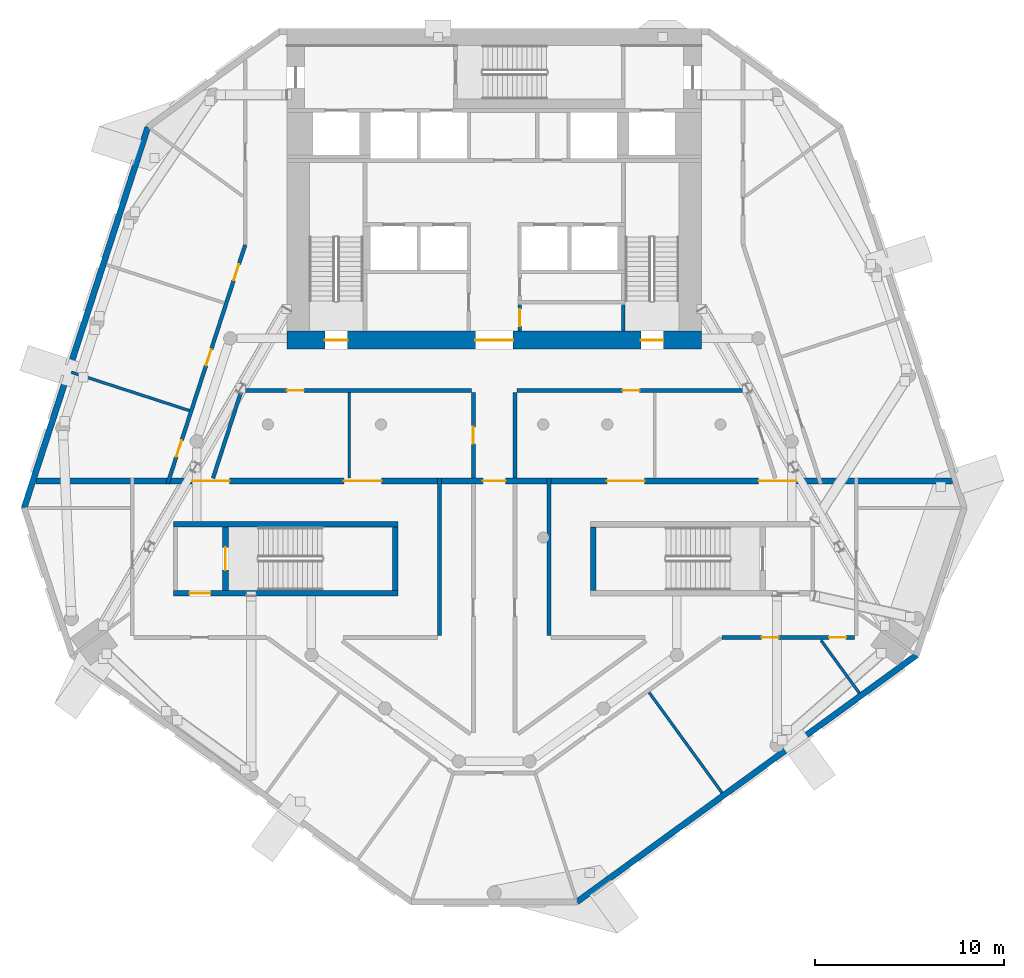
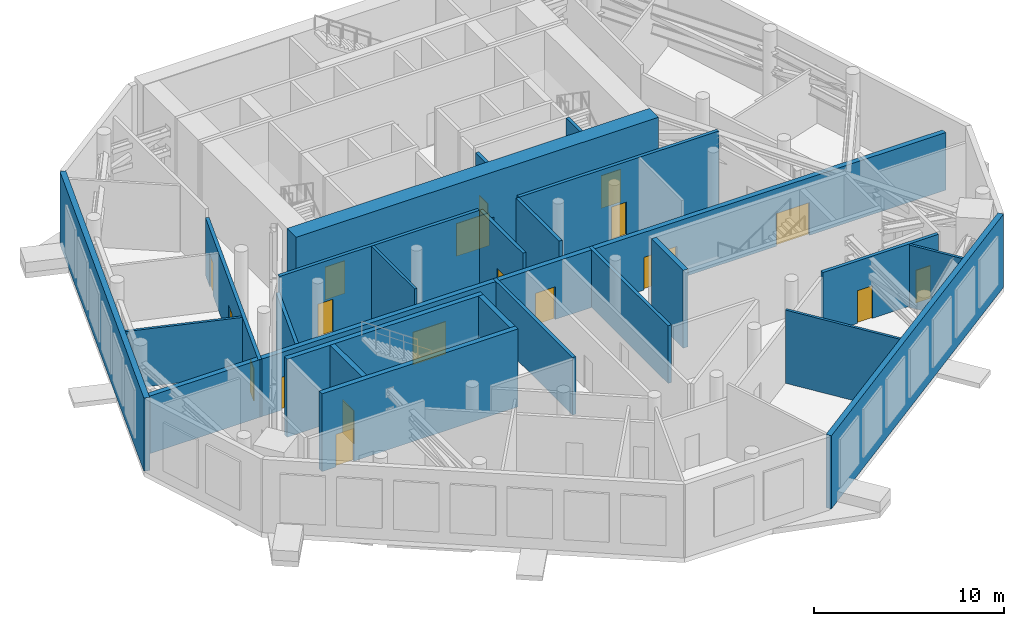
# One storey, part 9 of 17: 24 walls, 19 doors, 19 openings.
"""IFC4 building model written with IfcOpenShell, lengths in metres."""

from ifc_helpers import new_model, si_unit, direction, frame, frame_2d, origin, place, context, subcontext, project, spatial, rectangle, extrude, material, layer, layer_set, type_object, element, fill, save


model = new_model("IFC4")

# Units and contexts
model_context = context("Model", 3, precision=1e-05, world=origin(), true_north=direction((0.0, 1.0)))
body_context = subcontext(model_context, "Body", "Model", "MODEL_VIEW")
ifc_project = project(units=[si_unit("LENGTHUNIT", "METRE"), si_unit("AREAUNIT", "SQUARE_METRE"), si_unit("VOLUMEUNIT", "CUBIC_METRE"), si_unit("PLANEANGLEUNIT", "RADIAN"), si_unit("MASSUNIT", "GRAM", prefix="KILO")], contexts=[model_context])

# Site, building, storey
site_placement = place(None, origin())
site = spatial("IfcSite", under=ifc_project, at=site_placement, CompositionType="ELEMENT")
building_placement = place(site_placement, origin())
building = spatial("IfcBuilding", under=site, at=building_placement, Name="White Candle Pilgrim Tower", CompositionType="ELEMENT")
storey_placement = place(building_placement, frame((0.0, 0.0, 191.5)))
storey = spatial("IfcBuildingStorey", under=building, at=storey_placement, Name="L44", CompositionType="ELEMENT", Elevation=191.5)

# Wall, openings, doors
ifc_material_1 = material(Name="Gypsum board on steel studs", Category="steel")
ifc_layer_1 = layer(ifc_material_1, 0.199951171875)
ifc_layer_set_1 = layer_set([ifc_layer_1], Name="Corridor wall 200 mm EI 45")
wall_type_1 = type_object("IfcWallType", Name="Corridor wall 200 mm EI 45", PredefinedType="PARTITIONING", material=ifc_layer_set_1)
wall_1_placement = place(storey_placement, frame((52.677734375, 63.85009765625, 0.0), z_axis=(0.0, 0.0, 1.0), x_axis=(0.309023094896, 0.951054534094, 0.0)))
wall_1 = element("IfcWall", 1, at=wall_1_placement, inside=storey, type_object=wall_type_1, Name="WL-L44-P002", PredefinedType="PARTITIONING", context=body_context, shape_type="SweptSolid", body=[
    extrude(rectangle(XDim=13.323974609375, YDim=0.199951171875, at=frame_2d((6.662109375, 0.0))), origin(), (0.0, 0.0, 1.0), 3.699951171875),
])
opening_1_placement = place(wall_1_placement, frame((1.51611328125, 0.0, 0.0)))
opening_1 = element("IfcOpeningElement", 2, at=opening_1_placement, cuts=wall_1, Name="Opening L44-117", PredefinedType="OPENING", context=body_context, shape_type="SweptSolid", body=[
    extrude(rectangle(XDim=0.89990234375, YDim=2.10009765625, at=frame_2d((0.449951171875, 1.050048828125))), frame((0.0, 0.10986328125, 0.0), z_axis=(0.0, -1.0, 0.0), x_axis=(1.0, 0.0, 0.0)), (0.0, 0.0, 1.0), 0.219970703125),
])
opening_2_placement = place(wall_1_placement, frame((6.602294921875, 0.0, 0.0)))
opening_2 = element("IfcOpeningElement", 3, at=opening_2_placement, cuts=wall_1, Name="Opening L44-118", PredefinedType="OPENING", context=body_context, shape_type="SweptSolid", body=[
    extrude(rectangle(XDim=0.89990234375, YDim=2.10009765625, at=frame_2d((0.449951171875, 1.050048828125))), frame((0.0, 0.10986328125, 0.0), z_axis=(0.0, -1.0, 0.0), x_axis=(1.0, 0.0, 0.0)), (0.0, 0.0, 1.0), 0.219970703125),
])
opening_3_placement = place(wall_1_placement, frame((11.351318359375, 0.0, 0.0)))
opening_3 = element("IfcOpeningElement", 4, at=opening_3_placement, cuts=wall_1, Name="Opening L44-119", PredefinedType="OPENING", context=body_context, shape_type="SweptSolid", body=[
    extrude(rectangle(XDim=0.89990234375, YDim=2.10009765625, at=frame_2d((0.449951171875, 1.050048828125))), frame((0.0, 0.10986328125, 0.0), z_axis=(0.0, -1.0, 0.0), x_axis=(1.0, 0.0, 0.0)), (0.0, 0.0, 1.0), 0.219970703125),
])
ifc_material_2 = material(Name="Steel door leaf", Category="steel")
door_type_1 = type_object("IfcDoorType", Name="Fire door 900 x 2100 EI 30", OperationType="NOTDEFINED", PredefinedType="DOOR", material=ifc_material_2)
door_1_placement = place(opening_1_placement, origin())
door_1 = element("IfcDoor", 5, at=door_1_placement, inside=storey, type_object=door_type_1, Name="Door L44-117", OperationType="SINGLE_SWING_LEFT", OverallHeight=2.10009765625, OverallWidth=0.89990234375, PredefinedType="DOOR", context=body_context, shape_type="SweptSolid", body=[
    extrude(rectangle(XDim=0.89990234375, YDim=2.10009765625, at=frame_2d((0.449951171875, 1.050048828125))), frame((0.0, 0.02490234375, 0.0), z_axis=(0.0, -1.0, 0.0), x_axis=(1.0, 0.0, 0.0)), (0.0, 0.0, 1.0), 0.050048828125),
])
fill(opening_1, door_1)
door_2_placement = place(opening_2_placement, origin())
door_2 = element("IfcDoor", 6, at=door_2_placement, inside=storey, type_object=door_type_1, Name="Door L44-118", OperationType="SINGLE_SWING_RIGHT", OverallHeight=2.10009765625, OverallWidth=0.89990234375, PredefinedType="DOOR", context=body_context, shape_type="SweptSolid", body=[
    extrude(rectangle(XDim=0.89990234375, YDim=2.10009765625, at=frame_2d((0.449951171875, 1.050048828125))), frame((0.0, 0.02490234375, 0.0), z_axis=(0.0, -1.0, 0.0), x_axis=(1.0, 0.0, 0.0)), (0.0, 0.0, 1.0), 0.050048828125),
])
fill(opening_2, door_2)
door_3_placement = place(opening_3_placement, origin())
door_3 = element("IfcDoor", 7, at=door_3_placement, inside=storey, type_object=door_type_1, Name="Door L44-119", OperationType="SINGLE_SWING_LEFT", OverallHeight=2.10009765625, OverallWidth=0.89990234375, PredefinedType="DOOR", context=body_context, shape_type="SweptSolid", body=[
    extrude(rectangle(XDim=0.89990234375, YDim=2.10009765625, at=frame_2d((0.449951171875, 1.050048828125))), frame((0.0, 0.02490234375, 0.0), z_axis=(0.0, -1.0, 0.0), x_axis=(1.0, 0.0, 0.0)), (0.0, 0.0, 1.0), 0.050048828125),
])
fill(opening_3, door_3)

wall_2_placement = place(storey_placement, frame((89.10009765625, 55.699951171875, 0.0), z_axis=(0.0, 0.0, 1.0), x_axis=(-1.0, 0.0, 0.0)))
wall_2 = element("IfcWall", 8, at=wall_2_placement, inside=storey, type_object=wall_type_1, Name="WL-L44-P007", PredefinedType="PARTITIONING", context=body_context, shape_type="SweptSolid", body=[
    extrude(rectangle(XDim=7.017822265625, YDim=0.199951171875, at=frame_2d((3.5087890625, 0.0))), origin(), (0.0, 0.0, 1.0), 4.0),
])
opening_4_placement = place(wall_2_placement, frame((4.0126953125, 0.0, 0.0)))
opening_4 = element("IfcOpeningElement", 9, at=opening_4_placement, cuts=wall_2, Name="Opening L44-107", PredefinedType="OPENING", context=body_context, shape_type="SweptSolid", body=[
    extrude(rectangle(XDim=0.89990234375, YDim=2.10009765625, at=frame_2d((0.449951171875, 1.050048828125))), frame((0.0, 0.10986328125, 0.0), z_axis=(0.0, -1.0, 0.0), x_axis=(1.0, 0.0, 0.0)), (0.0, 0.0, 1.0), 0.219970703125),
])
opening_5_placement = place(wall_2_placement, frame((0.4375, 0.0, 0.0)))
opening_5 = element("IfcOpeningElement", 10, at=opening_5_placement, cuts=wall_2, Name="Opening L44-108", PredefinedType="OPENING", context=body_context, shape_type="SweptSolid", body=[
    extrude(rectangle(XDim=0.89990234375, YDim=2.10009765625, at=frame_2d((0.449951171875, 1.050048828125))), frame((0.0, 0.10986328125, 0.0), z_axis=(0.0, -1.0, 0.0), x_axis=(1.0, 0.0, 0.0)), (0.0, 0.0, 1.0), 0.219970703125),
])
door_4_placement = place(opening_4_placement, origin())
door_4 = element("IfcDoor", 11, at=door_4_placement, inside=storey, type_object=door_type_1, Name="Door L44-107", OperationType="SINGLE_SWING_LEFT", OverallHeight=2.10009765625, OverallWidth=0.89990234375, PredefinedType="DOOR", context=body_context, shape_type="SweptSolid", body=[
    extrude(rectangle(XDim=0.89990234375, YDim=2.10009765625, at=frame_2d((0.449951171875, 1.050048828125))), frame((0.0, 0.02490234375, 0.0), z_axis=(0.0, -1.0, 0.0), x_axis=(1.0, 0.0, 0.0)), (0.0, 0.0, 1.0), 0.050048828125),
])
fill(opening_4, door_4)
door_5_placement = place(opening_5_placement, origin())
door_5 = element("IfcDoor", 12, at=door_5_placement, inside=storey, type_object=door_type_1, Name="Door L44-108", OperationType="SINGLE_SWING_RIGHT", OverallHeight=2.10009765625, OverallWidth=0.89990234375, PredefinedType="DOOR", context=body_context, shape_type="SweptSolid", body=[
    extrude(rectangle(XDim=0.89990234375, YDim=2.10009765625, at=frame_2d((0.449951171875, 1.050048828125))), frame((0.0, 0.02490234375, 0.0), z_axis=(0.0, -1.0, 0.0), x_axis=(1.0, 0.0, 0.0)), (0.0, 0.0, 1.0), 0.050048828125),
])
fill(opening_5, door_5)

# Wall, opening, door
wall_3_placement = place(storey_placement, frame((83.328125, 68.800048828125, 0.0), z_axis=(0.0, 0.0, 1.0), x_axis=(-1.0, 0.0, 0.0)))
wall_3 = element("IfcWall", 13, at=wall_3_placement, inside=storey, type_object=wall_type_1, Name="WL-L44-P014", PredefinedType="PARTITIONING", context=body_context, shape_type="SweptSolid", body=[
    extrude(rectangle(XDim=12.128173828125, YDim=0.199951171875, at=frame_2d((6.06396484375, 0.0))), origin(), (0.0, 0.0, 1.0), 4.699951171875),
])
opening_6_placement = place(wall_3_placement, frame((5.614013671875, 0.0, 0.0)))
opening_6 = element("IfcOpeningElement", 14, at=opening_6_placement, cuts=wall_3, Name="Opening L44-127", PredefinedType="OPENING", context=body_context, shape_type="SweptSolid", body=[
    extrude(rectangle(XDim=0.89990234375, YDim=2.10009765625, at=frame_2d((0.449951171875, 1.050048828125))), frame((0.0, 0.10986328125, 0.0), z_axis=(0.0, -1.0, 0.0), x_axis=(1.0, 0.0, 0.0)), (0.0, 0.0, 1.0), 0.219970703125),
])
door_6_placement = place(opening_6_placement, origin())
door_6 = element("IfcDoor", 15, at=door_6_placement, inside=storey, type_object=door_type_1, Name="Door L44-127", OperationType="SINGLE_SWING_LEFT", OverallHeight=2.10009765625, OverallWidth=0.89990234375, PredefinedType="DOOR", context=body_context, shape_type="SweptSolid", body=[
    extrude(rectangle(XDim=0.89990234375, YDim=2.10009765625, at=frame_2d((0.449951171875, 1.050048828125))), frame((0.0, 0.02490234375, 0.0), z_axis=(0.0, -1.0, 0.0), x_axis=(1.0, 0.0, 0.0)), (0.0, 0.0, 1.0), 0.050048828125),
])
fill(opening_6, door_6)

# Walls
wall_4_placement = place(storey_placement, frame((71.10009765625, 68.699951171875, 0.0), z_axis=(0.0, 0.0, 1.0), x_axis=(0.0, -1.0, 0.0)))
element("IfcWall", 16, at=wall_4_placement, inside=storey, type_object=wall_type_1, Name="WL-L44-P015", PredefinedType="PARTITIONING", context=body_context, shape_type="SweptSolid", body=[
    extrude(rectangle(XDim=4.550048828125, YDim=0.199951171875, at=frame_2d((2.27490234375, 0.0))), origin(), (0.0, 0.0, 1.0), 4.699951171875),
])
wall_5_placement = place(storey_placement, frame((72.89990234375, 55.800048828125, 0.0), z_axis=(0.0, 0.0, 1.0), x_axis=(0.0, 1.0, 0.0)))
element("IfcWall", 17, at=wall_5_placement, inside=storey, type_object=wall_type_1, Name="WL-L44-P019", PredefinedType="PARTITIONING", context=body_context, shape_type="SweptSolid", body=[
    extrude(rectangle(XDim=8.349853515625, YDim=0.199951171875, at=frame_2d((4.1748046875, 0.0))), origin(), (0.0, 0.0, 1.0), 3.699951171875),
])

# Wall, opening, door
wall_6_placement = place(storey_placement, frame((68.89990234375, 64.14990234375, 0.0), z_axis=(0.0, 0.0, 1.0), x_axis=(0.0, 1.0, 0.0)))
wall_6 = element("IfcWall", 18, at=wall_6_placement, inside=storey, type_object=wall_type_1, Name="WL-L44-P021", PredefinedType="PARTITIONING", context=body_context, shape_type="SweptSolid", body=[
    extrude(rectangle(XDim=4.550048828125, YDim=0.199951171875, at=frame_2d((2.27490234375, 0.0))), origin(), (0.0, 0.0, 1.0), 4.699951171875),
])
opening_7_placement = place(wall_6_placement, frame((1.824951171875, 0.0, 0.0)))
opening_7 = element("IfcOpeningElement", 19, at=opening_7_placement, cuts=wall_6, Name="Opening L44-125", PredefinedType="OPENING", context=body_context, shape_type="SweptSolid", body=[
    extrude(rectangle(XDim=0.89990234375, YDim=2.10009765625, at=frame_2d((0.449951171875, 1.050048828125))), frame((0.0, 0.10986328125, 0.0), z_axis=(0.0, -1.0, 0.0), x_axis=(1.0, 0.0, 0.0)), (0.0, 0.0, 1.0), 0.219970703125),
])
door_7_placement = place(opening_7_placement, origin())
door_7 = element("IfcDoor", 20, at=door_7_placement, inside=storey, type_object=door_type_1, Name="Door L44-125", OperationType="SINGLE_SWING_LEFT", OverallHeight=2.10009765625, OverallWidth=0.89990234375, PredefinedType="DOOR", context=body_context, shape_type="SweptSolid", body=[
    extrude(rectangle(XDim=0.89990234375, YDim=2.10009765625, at=frame_2d((0.449951171875, 1.050048828125))), frame((0.0, 0.02490234375, 0.0), z_axis=(0.0, -1.0, 0.0), x_axis=(1.0, 0.0, 0.0)), (0.0, 0.0, 1.0), 0.050048828125),
])
fill(opening_7, door_7)

wall_7_placement = place(storey_placement, frame((68.800048828125, 68.800048828125, 0.0), z_axis=(0.0, 0.0, 1.0), x_axis=(-1.0, 0.0, 0.0)))
wall_7 = element("IfcWall", 21, at=wall_7_placement, inside=storey, type_object=wall_type_1, Name="WL-L44-P022", PredefinedType="PARTITIONING", context=body_context, shape_type="SweptSolid", body=[
    extrude(rectangle(XDim=12.128173828125, YDim=0.199951171875, at=frame_2d((6.06396484375, 0.0))), origin(), (0.0, 0.0, 1.0), 4.699951171875),
])
opening_8_placement = place(wall_7_placement, frame((8.893798828125, 0.0, 0.0)))
opening_8 = element("IfcOpeningElement", 22, at=opening_8_placement, cuts=wall_7, Name="Opening L44-126", PredefinedType="OPENING", context=body_context, shape_type="SweptSolid", body=[
    extrude(rectangle(XDim=0.89990234375, YDim=2.10009765625, at=frame_2d((0.449951171875, 1.050048828125))), frame((0.0, 0.10986328125, 0.0), z_axis=(0.0, -1.0, 0.0), x_axis=(1.0, 0.0, 0.0)), (0.0, 0.0, 1.0), 0.219970703125),
])
door_8_placement = place(opening_8_placement, origin())
door_8 = element("IfcDoor", 23, at=door_8_placement, inside=storey, type_object=door_type_1, Name="Door L44-126", OperationType="SINGLE_SWING_RIGHT", OverallHeight=2.10009765625, OverallWidth=0.89990234375, PredefinedType="DOOR", context=body_context, shape_type="SweptSolid", body=[
    extrude(rectangle(XDim=0.89990234375, YDim=2.10009765625, at=frame_2d((0.449951171875, 1.050048828125))), frame((0.0, 0.02490234375, 0.0), z_axis=(0.0, -1.0, 0.0), x_axis=(1.0, 0.0, 0.0)), (0.0, 0.0, 1.0), 0.050048828125),
])
fill(opening_8, door_8)

# Walls
wall_8_placement = place(storey_placement, frame((56.576904296875, 68.73095703125, 0.0), z_axis=(0.0, 0.0, 1.0), x_axis=(-0.309026476021, -0.951053435469, 0.0)))
element("IfcWall", 24, at=wall_8_placement, inside=storey, type_object=wall_type_1, Name="WL-L44-P023", PredefinedType="PARTITIONING", context=body_context, shape_type="SweptSolid", body=[
    extrude(rectangle(XDim=4.81689453125, YDim=0.199951171875, at=frame_2d((2.408447265625, 0.0))), origin(), (0.0, 0.0, 1.0), 3.699951171875),
])
wall_9_placement = place(storey_placement, frame((67.10009765625, 64.14990234375, 0.0), z_axis=(0.0, 0.0, 1.0), x_axis=(0.0, -1.0, 0.0)))
element("IfcWall", 25, at=wall_9_placement, inside=storey, type_object=wall_type_1, Name="WL-L44-P024", PredefinedType="PARTITIONING", context=body_context, shape_type="SweptSolid", body=[
    extrude(rectangle(XDim=8.349853515625, YDim=0.199951171875, at=frame_2d((4.1748046875, 0.0))), origin(), (0.0, 0.0, 1.0), 3.699951171875),
])
ifc_material_3 = material(Name="Precast concrete C40/50", Category="concrete")
ifc_layer_2 = layer(ifc_material_3, 0.320068359375)
ifc_layer_set_2 = layer_set([ifc_layer_2], Name="Facade wall EW2 precast concrete C40/50 plant wall behind louvres")
wall_type_2 = type_object("IfcWallType", Name="Facade wall EW2 precast concrete C40/50 plant wall behind louvres", PredefinedType="SOLIDWALL", material=ifc_layer_set_2)
wall_10_placement = place(storey_placement, frame((74.391357421875, 41.68115234375, 0.0), z_axis=(0.0, 0.0, 1.0), x_axis=(0.809015997552, 0.5877866243, 0.0)))
element("IfcWall", 26, at=wall_10_placement, inside=storey, type_object=wall_type_2, Name="Facade wall L44 SE", PredefinedType="SOLIDWALL", context=body_context, shape_type="SweptSolid", body=[
    extrude(rectangle(XDim=22.24560546875, YDim=0.320068359375, at=frame_2d((11.122802734375, 0.0))), origin(), (0.0, 0.0, 1.0), 4.699951171875),
])
wall_11_placement = place(storey_placement, frame((51.632080078125, 82.7666015625, 0.0), z_axis=(0.0, 0.0, 1.0), x_axis=(-0.309022366866, -0.95105477065, 0.0)))
element("IfcWall", 27, at=wall_11_placement, inside=storey, type_object=wall_type_2, Name="Facade wall L44 WNW", PredefinedType="SOLIDWALL", context=body_context, shape_type="SweptSolid", body=[
    extrude(rectangle(XDim=21.230712890625, YDim=0.320068359375, at=frame_2d((10.615234375, 0.0))), origin(), (0.0, 0.0, 1.0), 4.699951171875),
])

# Wall, openings, doors
ifc_material_4 = material(Name="Aerated concrete block", Category="concrete")
ifc_layer_3 = layer(ifc_material_4, 0.300048828125)
ifc_layer_set_3 = layer_set([ifc_layer_3], Name="Fire wall 300 mm REI 240")
wall_type_3 = type_object("IfcWallType", Name="Fire wall 300 mm REI 240", PredefinedType="PARTITIONING", material=ifc_layer_set_3)
wall_12_placement = place(storey_placement, frame((45.70263671875, 64.0, 0.0), z_axis=(0.0, 0.0, 1.0), x_axis=(1.0, 0.0, 0.0)))
wall_12 = element("IfcWall", 28, at=wall_12_placement, inside=storey, type_object=wall_type_3, Name="WL-L44-P001", PredefinedType="PARTITIONING", context=body_context, shape_type="SweptSolid", body=[
    extrude(rectangle(XDim=48.5947265625, YDim=0.300048828125, at=frame_2d((24.29736328125, 0.0))), origin(), (0.0, 0.0, 1.0), 3.699951171875),
])
opening_9_placement = place(wall_12_placement, frame((8.272216796875, 0.0, 0.0)))
opening_9 = element("IfcOpeningElement", 29, at=opening_9_placement, cuts=wall_12, Name="Opening L44-110", PredefinedType="OPENING", context=body_context, shape_type="SweptSolid", body=[
    extrude(rectangle(XDim=2.0, YDim=2.10009765625, at=frame_2d((1.0, 1.050048828125))), frame((0.0, 0.159912109375, 0.0), z_axis=(0.0, -1.0, 0.0), x_axis=(1.0, 0.0, 0.0)), (0.0, 0.0, 1.0), 0.320068359375),
])
opening_10_placement = place(wall_12_placement, frame((16.322265625, 0.0, 0.0)))
opening_10 = element("IfcOpeningElement", 30, at=opening_10_placement, cuts=wall_12, Name="Opening L44-111", PredefinedType="OPENING", context=body_context, shape_type="SweptSolid", body=[
    extrude(rectangle(XDim=2.0, YDim=2.10009765625, at=frame_2d((1.0, 1.050048828125))), frame((0.0, 0.159912109375, 0.0), z_axis=(0.0, -1.0, 0.0), x_axis=(1.0, 0.0, 0.0)), (0.0, 0.0, 1.0), 0.320068359375),
])
opening_11_placement = place(wall_12_placement, frame((23.697265625, 0.0, 0.0)))
opening_11 = element("IfcOpeningElement", 31, at=opening_11_placement, cuts=wall_12, Name="Opening L44-112", PredefinedType="OPENING", context=body_context, shape_type="SweptSolid", body=[
    extrude(rectangle(XDim=1.199951171875, YDim=2.10009765625, at=frame_2d((0.60009765625, 1.050048828125))), frame((0.0, 0.159912109375, 0.0), z_axis=(0.0, -1.0, 0.0), x_axis=(1.0, 0.0, 0.0)), (0.0, 0.0, 1.0), 0.320068359375),
])
opening_12_placement = place(wall_12_placement, frame((30.272216796875, 0.0, 0.0)))
opening_12 = element("IfcOpeningElement", 32, at=opening_12_placement, cuts=wall_12, Name="Opening L44-113", PredefinedType="OPENING", context=body_context, shape_type="SweptSolid", body=[
    extrude(rectangle(XDim=2.0, YDim=2.10009765625, at=frame_2d((1.0, 1.050048828125))), frame((0.0, 0.159912109375, 0.0), z_axis=(0.0, -1.0, 0.0), x_axis=(1.0, 0.0, 0.0)), (0.0, 0.0, 1.0), 0.320068359375),
])
opening_13_placement = place(wall_12_placement, frame((38.322265625, 0.0, 0.0)))
opening_13 = element("IfcOpeningElement", 33, at=opening_13_placement, cuts=wall_12, Name="Opening L44-114", PredefinedType="OPENING", context=body_context, shape_type="SweptSolid", body=[
    extrude(rectangle(XDim=2.0, YDim=2.10009765625, at=frame_2d((1.0, 1.050048828125))), frame((0.0, 0.159912109375, 0.0), z_axis=(0.0, -1.0, 0.0), x_axis=(1.0, 0.0, 0.0)), (0.0, 0.0, 1.0), 0.320068359375),
])
door_type_2 = type_object("IfcDoorType", Name="Fire door 1200 x 2100 EI 60", OperationType="NOTDEFINED", PredefinedType="DOOR", material=ifc_material_2)
door_9_placement = place(opening_11_placement, origin())
door_9 = element("IfcDoor", 34, at=door_9_placement, inside=storey, type_object=door_type_2, Name="Door L44-112", OperationType="SINGLE_SWING_RIGHT", OverallHeight=2.10009765625, OverallWidth=1.199951171875, PredefinedType="DOOR", context=body_context, shape_type="SweptSolid", body=[
    extrude(rectangle(XDim=1.199951171875, YDim=2.10009765625, at=frame_2d((0.60009765625, 1.050048828125))), frame((0.0, 0.02490234375, 0.0), z_axis=(0.0, -1.0, 0.0), x_axis=(1.0, 0.0, 0.0)), (0.0, 0.0, 1.0), 0.050048828125),
])
fill(opening_11, door_9)
door_type_3 = type_object("IfcDoorType", Name="Fire door 2000 x 2100 EI 60", OperationType="NOTDEFINED", PredefinedType="DOOR", material=ifc_material_2)
door_10_placement = place(opening_9_placement, origin())
door_10 = element("IfcDoor", 35, at=door_10_placement, inside=storey, type_object=door_type_3, Name="Door L44-110", OperationType="DOUBLE_DOOR_SINGLE_SWING", OverallHeight=2.10009765625, OverallWidth=2.0, PredefinedType="DOOR", context=body_context, shape_type="SweptSolid", body=[
    extrude(rectangle(XDim=2.0, YDim=2.10009765625, at=frame_2d((1.0, 1.050048828125))), frame((0.0, 0.02490234375, 0.0), z_axis=(0.0, -1.0, 0.0), x_axis=(1.0, 0.0, 0.0)), (0.0, 0.0, 1.0), 0.050048828125),
])
fill(opening_9, door_10)
door_11_placement = place(opening_10_placement, origin())
door_11 = element("IfcDoor", 36, at=door_11_placement, inside=storey, type_object=door_type_3, Name="Door L44-111", OperationType="DOUBLE_DOOR_SINGLE_SWING", OverallHeight=2.10009765625, OverallWidth=2.0, PredefinedType="DOOR", context=body_context, shape_type="SweptSolid", body=[
    extrude(rectangle(XDim=2.0, YDim=2.10009765625, at=frame_2d((1.0, 1.050048828125))), frame((0.0, 0.02490234375, 0.0), z_axis=(0.0, -1.0, 0.0), x_axis=(1.0, 0.0, 0.0)), (0.0, 0.0, 1.0), 0.050048828125),
])
fill(opening_10, door_11)
door_12_placement = place(opening_12_placement, origin())
door_12 = element("IfcDoor", 37, at=door_12_placement, inside=storey, type_object=door_type_3, Name="Door L44-113", OperationType="DOUBLE_DOOR_SINGLE_SWING", OverallHeight=2.10009765625, OverallWidth=2.0, PredefinedType="DOOR", context=body_context, shape_type="SweptSolid", body=[
    extrude(rectangle(XDim=2.0, YDim=2.10009765625, at=frame_2d((1.0, 1.050048828125))), frame((0.0, 0.02490234375, 0.0), z_axis=(0.0, -1.0, 0.0), x_axis=(1.0, 0.0, 0.0)), (0.0, 0.0, 1.0), 0.050048828125),
])
fill(opening_12, door_12)
door_13_placement = place(opening_13_placement, origin())
door_13 = element("IfcDoor", 38, at=door_13_placement, inside=storey, type_object=door_type_3, Name="Door L44-114", OperationType="DOUBLE_DOOR_SINGLE_SWING", OverallHeight=2.10009765625, OverallWidth=2.0, PredefinedType="DOOR", context=body_context, shape_type="SweptSolid", body=[
    extrude(rectangle(XDim=2.0, YDim=2.10009765625, at=frame_2d((1.0, 1.050048828125))), frame((0.0, 0.02490234375, 0.0), z_axis=(0.0, -1.0, 0.0), x_axis=(1.0, 0.0, 0.0)), (0.0, 0.0, 1.0), 0.050048828125),
])
fill(opening_13, door_13)

# Wall, opening, door
ifc_layer_4 = layer(ifc_material_1, 0.199951171875)
ifc_layer_set_4 = layer_set([ifc_layer_4], Name="Lobby wall 200 mm EI 60")
wall_type_4 = type_object("IfcWallType", Name="Lobby wall 200 mm EI 60", PredefinedType="PARTITIONING", material=ifc_layer_set_4)
wall_13_placement = place(storey_placement, frame((71.35009765625, 71.949951171875, 0.0), z_axis=(0.0, 0.0, 1.0), x_axis=(0.0, 1.0, 0.0)))
wall_13 = element("IfcWall", 39, at=wall_13_placement, inside=storey, type_object=wall_type_4, Name="WL-L44-C15", PredefinedType="PARTITIONING", context=body_context, shape_type="SweptSolid", body=[
    extrude(rectangle(XDim=1.425048828125, YDim=0.199951171875, at=frame_2d((0.71240234375, 0.0))), origin(), (0.0, 0.0, 1.0), 4.699951171875),
])
opening_14_placement = place(wall_13_placement, frame((0.262451171875, 0.0, 0.0)))
opening_14 = element("IfcOpeningElement", 40, at=opening_14_placement, cuts=wall_13, Name="Opening L44-006", PredefinedType="OPENING", context=body_context, shape_type="SweptSolid", body=[
    extrude(rectangle(XDim=0.89990234375, YDim=2.10009765625, at=frame_2d((0.449951171875, 1.050048828125))), frame((0.0, 0.10986328125, 0.0), z_axis=(0.0, -1.0, 0.0), x_axis=(1.0, 0.0, 0.0)), (0.0, 0.0, 1.0), 0.219970703125),
])
door_14_placement = place(opening_14_placement, origin())
door_14 = element("IfcDoor", 41, at=door_14_placement, inside=storey, type_object=door_type_1, Name="Door L44-006", OperationType="SINGLE_SWING_RIGHT", OverallHeight=2.10009765625, OverallWidth=0.89990234375, PredefinedType="DOOR", context=body_context, shape_type="SweptSolid", body=[
    extrude(rectangle(XDim=0.89990234375, YDim=2.10009765625, at=frame_2d((0.449951171875, 1.050048828125))), frame((0.0, 0.02490234375, 0.0), z_axis=(0.0, -1.0, 0.0), x_axis=(1.0, 0.0, 0.0)), (0.0, 0.0, 1.0), 0.050048828125),
])
fill(opening_14, door_14)

# Walls
ifc_layer_5 = layer(ifc_material_1, 0.14990234375)
ifc_layer_set_5 = layer_set([ifc_layer_5], Name="Partition 150 mm EI 60")
wall_type_5 = type_object("IfcWallType", Name="Partition 150 mm EI 60", PredefinedType="PARTITIONING", material=ifc_layer_set_5)
wall_14_placement = place(storey_placement, frame((47.576904296875, 69.76806640625, 0.0), z_axis=(0.0, 0.0, 1.0), x_axis=(0.951060241863, -0.309005528021, 0.0)))
element("IfcWall", 42, at=wall_14_placement, inside=storey, type_object=wall_type_5, Name="WL-L44-P036", PredefinedType="PARTITIONING", context=body_context, shape_type="SweptSolid", body=[
    extrude(rectangle(XDim=6.579833984375, YDim=0.14990234375, at=frame_2d((3.2900390625, 0.0))), origin(), (0.0, 0.0, 1.0), 3.699951171875),
])
wall_15_placement = place(storey_placement, frame((82.082275390625, 47.466796875, 0.0), z_axis=(0.0, 0.0, 1.0), x_axis=(-0.587796586364, 0.809008759569, 0.0)))
element("IfcWall", 43, at=wall_15_placement, inside=storey, type_object=wall_type_5, Name="WL-L44-P039", PredefinedType="PARTITIONING", context=body_context, shape_type="SweptSolid", body=[
    extrude(rectangle(XDim=6.580078125, YDim=0.14990234375, at=frame_2d((3.2900390625, 0.0))), origin(), (0.0, 0.0, 1.0), 4.699951171875),
])
wall_16_placement = place(storey_placement, frame((89.36328125, 52.756591796875, 0.0), z_axis=(0.0, 0.0, 1.0), x_axis=(-0.587760469668, 0.809034999426, 0.0)))
element("IfcWall", 44, at=wall_16_placement, inside=storey, type_object=wall_type_5, Name="WL-L44-P040", PredefinedType="PARTITIONING", context=body_context, shape_type="SweptSolid", body=[
    extrude(rectangle(XDim=3.4599609375, YDim=0.14990234375, at=frame_2d((1.72998046875, 0.0))), origin(), (0.0, 0.0, 1.0), 4.0),
])
wall_17_placement = place(storey_placement, frame((62.3115234375, 64.14990234375, 0.0), z_axis=(0.0, 0.0, 1.0), x_axis=(0.0, 1.0, 0.0)))
element("IfcWall", 45, at=wall_17_placement, inside=storey, type_object=wall_type_5, Name="WL-L44-P042", PredefinedType="PARTITIONING", context=body_context, shape_type="SweptSolid", body=[
    extrude(rectangle(XDim=4.550048828125, YDim=0.14990234375, at=frame_2d((2.27490234375, 0.0))), origin(), (0.0, 0.0, 1.0), 4.699951171875),
])
ifc_material_5 = material(Name="Concrete C60/75", Category="concrete")
ifc_layer_6 = layer(ifc_material_5, 0.199951171875)
ifc_layer_set_6 = layer_set([ifc_layer_6], Name="Stair shaft wall 200 mm Concrete C60/75")
wall_type_6 = type_object("IfcWallType", Name="Stair shaft wall 200 mm Concrete C60/75", PredefinedType="SHEAR", material=ifc_layer_set_6)
wall_18_placement = place(storey_placement, frame((76.85009765625, 71.949951171875, 0.0), z_axis=(0.0, 0.0, 1.0), x_axis=(0.0, 1.0, 0.0)))
element("IfcWall", 46, at=wall_18_placement, inside=storey, type_object=wall_type_6, Name="WL-L44-C16", PredefinedType="SHEAR", context=body_context, shape_type="SweptSolid", body=[
    extrude(rectangle(XDim=1.425048828125, YDim=0.199951171875, at=frame_2d((0.71240234375, 0.0))), origin(), (0.0, 0.0, 1.0), 5.0),
])

# Wall, opening, door
ifc_layer_7 = layer(ifc_material_5, 0.300048828125)
ifc_layer_set_7 = layer_set([ifc_layer_7], Name="Stair shaft wall 300 mm Concrete C60/75")
wall_type_7 = type_object("IfcWallType", Name="Stair shaft wall 300 mm Concrete C60/75", PredefinedType="SHEAR", material=ifc_layer_set_7)
wall_19_placement = place(storey_placement, frame((53.0, 58.050048828125, 0.0), z_axis=(0.0, 0.0, 1.0), x_axis=(1.0, 0.0, 0.0)))
wall_19 = element("IfcWall", 47, at=wall_19_placement, inside=storey, type_object=wall_type_7, Name="WL-L44-C01", PredefinedType="SHEAR", context=body_context, shape_type="SweptSolid", body=[
    extrude(rectangle(XDim=11.89990234375, YDim=0.300048828125, at=frame_2d((5.949951171875, 0.0))), origin(), (0.0, 0.0, 1.0), 5.0),
])
opening_15_placement = place(wall_19_placement, frame((0.85009765625, 0.0, 0.0)))
opening_15 = element("IfcOpeningElement", 48, at=opening_15_placement, cuts=wall_19, Name="Opening L44-010", PredefinedType="OPENING", context=body_context, shape_type="SweptSolid", body=[
    extrude(rectangle(XDim=1.10009765625, YDim=2.10009765625, at=frame_2d((0.550048828125, 1.050048828125))), frame((0.0, 0.159912109375, 0.0), z_axis=(0.0, -1.0, 0.0), x_axis=(1.0, 0.0, 0.0)), (0.0, 0.0, 1.0), 0.320068359375),
])
door_type_4 = type_object("IfcDoorType", Name="Fire door 1100 x 2100 EI 60", OperationType="NOTDEFINED", PredefinedType="DOOR", material=ifc_material_2)
door_15_placement = place(opening_15_placement, origin())
door_15 = element("IfcDoor", 49, at=door_15_placement, inside=storey, type_object=door_type_4, Name="Door L44-010", OperationType="SINGLE_SWING_RIGHT", OverallHeight=2.10009765625, OverallWidth=1.10009765625, PredefinedType="DOOR", context=body_context, shape_type="SweptSolid", body=[
    extrude(rectangle(XDim=1.10009765625, YDim=2.10009765625, at=frame_2d((0.550048828125, 1.050048828125))), frame((0.0, 0.02490234375, 0.0), z_axis=(0.0, -1.0, 0.0), x_axis=(1.0, 0.0, 0.0)), (0.0, 0.0, 1.0), 0.050048828125),
])
fill(opening_15, door_15)

wall_20_placement = place(storey_placement, frame((55.75, 58.199951171875, 0.0), z_axis=(0.0, 0.0, 1.0), x_axis=(0.0, 1.0, 0.0)))
wall_20 = element("IfcWall", 50, at=wall_20_placement, inside=storey, type_object=wall_type_7, Name="WL-L44-C04", PredefinedType="SHEAR", context=body_context, shape_type="SweptSolid", body=[
    extrude(rectangle(XDim=3.35009765625, YDim=0.300048828125, at=frame_2d((1.675048828125, 0.0))), origin(), (0.0, 0.0, 1.0), 5.0),
])
opening_16_placement = place(wall_20_placement, frame((1.074951171875, 0.0, 0.0)))
opening_16 = element("IfcOpeningElement", 51, at=opening_16_placement, cuts=wall_20, Name="Opening L44-011", PredefinedType="OPENING", context=body_context, shape_type="SweptSolid", body=[
    extrude(rectangle(XDim=1.199951171875, YDim=2.10009765625, at=frame_2d((0.60009765625, 1.050048828125))), frame((0.0, 0.159912109375, 0.0), z_axis=(0.0, -1.0, 0.0), x_axis=(1.0, 0.0, 0.0)), (0.0, 0.0, 1.0), 0.320068359375),
])
door_16_placement = place(opening_16_placement, frame((1.199951171875, 0.0, 0.0), z_axis=(0.0, 0.0, 1.0), x_axis=(-1.0, 0.0, 0.0)))
door_16 = element("IfcDoor", 52, at=door_16_placement, inside=storey, type_object=door_type_2, Name="Door L44-011", OperationType="SINGLE_SWING_RIGHT", OverallHeight=2.10009765625, OverallWidth=1.199951171875, PredefinedType="DOOR", context=body_context, shape_type="SweptSolid", body=[
    extrude(rectangle(XDim=1.199951171875, YDim=2.10009765625, at=frame_2d((0.60009765625, 1.050048828125))), frame((0.0, 0.02490234375, 0.0), z_axis=(0.0, -1.0, 0.0), x_axis=(1.0, 0.0, 0.0)), (0.0, 0.0, 1.0), 0.050048828125),
])
fill(opening_16, door_16)

# Walls
for number, where, z_axis, x_axis, name in (
    (53, (64.75, 58.199951171875, 0.0), (0.0, 0.0, 1.0), (0.0, 1.0, 0.0), "WL-L44-C05"),
    (54, (75.25, 58.199951171875, 0.0), (0.0, 0.0, 1.0), (0.0, 1.0, 0.0), "WL-L44-C06"),
):
    element("IfcWall", number, at=place(storey_placement, frame(where, z_axis=z_axis, x_axis=x_axis)), inside=storey, type_object=wall_type_7, Name=name, PredefinedType="SHEAR", context=body_context, shape_type="SweptSolid", body=[
        extrude(rectangle(XDim=3.35009765625, YDim=0.300048828125, at=frame_2d((1.675048828125, 0.0))), origin(), (0.0, 0.0, 1.0), 5.0),
    ])
wall_21_placement = place(storey_placement, frame((53.0, 61.699951171875, 0.0), z_axis=(0.0, 0.0, 1.0), x_axis=(1.0, 0.0, 0.0)))
element("IfcWall", 55, at=wall_21_placement, inside=storey, type_object=wall_type_7, Name="WL-L44-C09", PredefinedType="SHEAR", context=body_context, shape_type="SweptSolid", body=[
    extrude(rectangle(XDim=11.89990234375, YDim=0.300048828125, at=frame_2d((5.949951171875, 0.0))), origin(), (0.0, 0.0, 1.0), 5.0),
])

# Wall, openings, doors
ifc_layer_8 = layer(ifc_material_5, 0.949951171875)
ifc_layer_set_8 = layer_set([ifc_layer_8], Name="Stair shaft wall 950 mm Concrete C60/75")
wall_type_8 = type_object("IfcWallType", Name="Stair shaft wall 950 mm Concrete C60/75", PredefinedType="SHEAR", material=ifc_layer_set_8)
wall_22_placement = place(storey_placement, frame((59.0, 71.47509765625, 0.0), z_axis=(0.0, 0.0, 1.0), x_axis=(1.0, 0.0, 0.0)))
wall_22 = element("IfcWall", 56, at=wall_22_placement, inside=storey, type_object=wall_type_8, Name="WL-L44-C11", PredefinedType="SHEAR", context=body_context, shape_type="SweptSolid", body=[
    extrude(rectangle(XDim=22.0, YDim=0.949951171875, at=frame_2d((11.0, 0.0))), origin(), (0.0, 0.0, 1.0), 5.0),
])
opening_17_placement = place(wall_22_placement, frame((2.02490234375, 0.0, 0.0)))
opening_17 = element("IfcOpeningElement", 57, at=opening_17_placement, cuts=wall_22, Name="Opening L44-001", PredefinedType="OPENING", context=body_context, shape_type="SweptSolid", body=[
    extrude(rectangle(XDim=1.199951171875, YDim=2.10009765625, at=frame_2d((0.60009765625, 1.050048828125))), frame((0.0, 0.48486328125, 0.0), z_axis=(0.0, -1.0, 0.0), x_axis=(1.0, 0.0, 0.0)), (0.0, 0.0, 1.0), 0.969970703125),
])
opening_18_placement = place(wall_22_placement, frame((18.77490234375, 0.0, 0.0)))
opening_18 = element("IfcOpeningElement", 58, at=opening_18_placement, cuts=wall_22, Name="Opening L44-002", PredefinedType="OPENING", context=body_context, shape_type="SweptSolid", body=[
    extrude(rectangle(XDim=1.199951171875, YDim=2.10009765625, at=frame_2d((0.60009765625, 1.050048828125))), frame((0.0, 0.48486328125, 0.0), z_axis=(0.0, -1.0, 0.0), x_axis=(1.0, 0.0, 0.0)), (0.0, 0.0, 1.0), 0.969970703125),
])
opening_19_placement = place(wall_22_placement, frame((10.0, 0.0, 0.0)))
opening_19 = element("IfcOpeningElement", 59, at=opening_19_placement, cuts=wall_22, Name="Opening L44-004", PredefinedType="OPENING", context=body_context, shape_type="SweptSolid", body=[
    extrude(rectangle(XDim=2.0, YDim=2.10009765625, at=frame_2d((1.0, 1.050048828125))), frame((0.0, 0.48486328125, 0.0), z_axis=(0.0, -1.0, 0.0), x_axis=(1.0, 0.0, 0.0)), (0.0, 0.0, 1.0), 0.969970703125),
])
door_17_placement = place(opening_17_placement, frame((1.199951171875, 0.0, 0.0), z_axis=(0.0, 0.0, 1.0), x_axis=(-1.0, 0.0, 0.0)))
door_17 = element("IfcDoor", 60, at=door_17_placement, inside=storey, type_object=door_type_2, Name="Door L44-001", OperationType="SINGLE_SWING_RIGHT", OverallHeight=2.10009765625, OverallWidth=1.199951171875, PredefinedType="DOOR", context=body_context, shape_type="SweptSolid", body=[
    extrude(rectangle(XDim=1.199951171875, YDim=2.10009765625, at=frame_2d((0.60009765625, 1.050048828125))), frame((0.0, 0.02490234375, 0.0), z_axis=(0.0, -1.0, 0.0), x_axis=(1.0, 0.0, 0.0)), (0.0, 0.0, 1.0), 0.050048828125),
])
fill(opening_17, door_17)
door_18_placement = place(opening_18_placement, frame((1.199951171875, 0.0, 0.0), z_axis=(0.0, 0.0, 1.0), x_axis=(-1.0, 0.0, 0.0)))
door_18 = element("IfcDoor", 61, at=door_18_placement, inside=storey, type_object=door_type_2, Name="Door L44-002", OperationType="SINGLE_SWING_LEFT", OverallHeight=2.10009765625, OverallWidth=1.199951171875, PredefinedType="DOOR", context=body_context, shape_type="SweptSolid", body=[
    extrude(rectangle(XDim=1.199951171875, YDim=2.10009765625, at=frame_2d((0.60009765625, 1.050048828125))), frame((0.0, 0.02490234375, 0.0), z_axis=(0.0, -1.0, 0.0), x_axis=(1.0, 0.0, 0.0)), (0.0, 0.0, 1.0), 0.050048828125),
])
fill(opening_18, door_18)
door_19_placement = place(opening_19_placement, frame((2.0, 0.0, 0.0), z_axis=(0.0, 0.0, 1.0), x_axis=(-1.0, 0.0, 0.0)))
door_19 = element("IfcDoor", 62, at=door_19_placement, inside=storey, type_object=door_type_3, Name="Door L44-004", OperationType="DOUBLE_DOOR_SINGLE_SWING", OverallHeight=2.10009765625, OverallWidth=2.0, PredefinedType="DOOR", context=body_context, shape_type="SweptSolid", body=[
    extrude(rectangle(XDim=2.0, YDim=2.10009765625, at=frame_2d((1.0, 1.050048828125))), frame((0.0, 0.02490234375, 0.0), z_axis=(0.0, -1.0, 0.0), x_axis=(1.0, 0.0, 0.0)), (0.0, 0.0, 1.0), 0.050048828125),
])
fill(opening_19, door_19)

save(model, "model.ifc")
